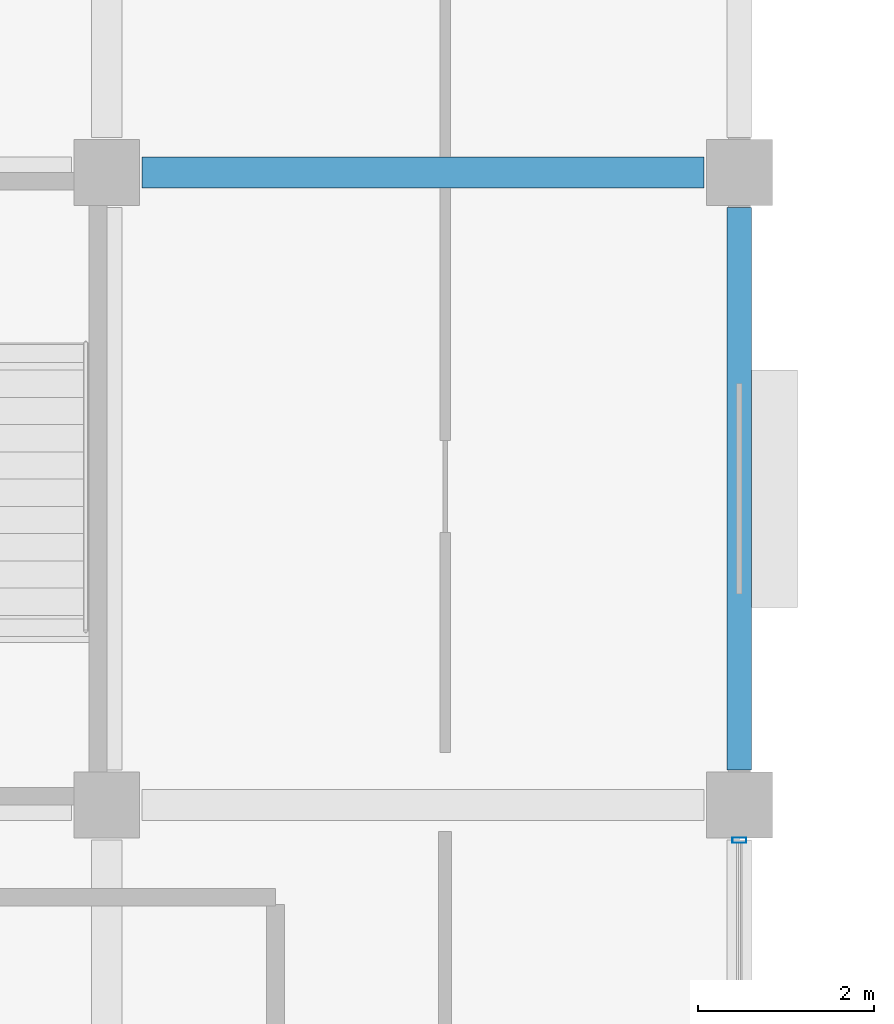
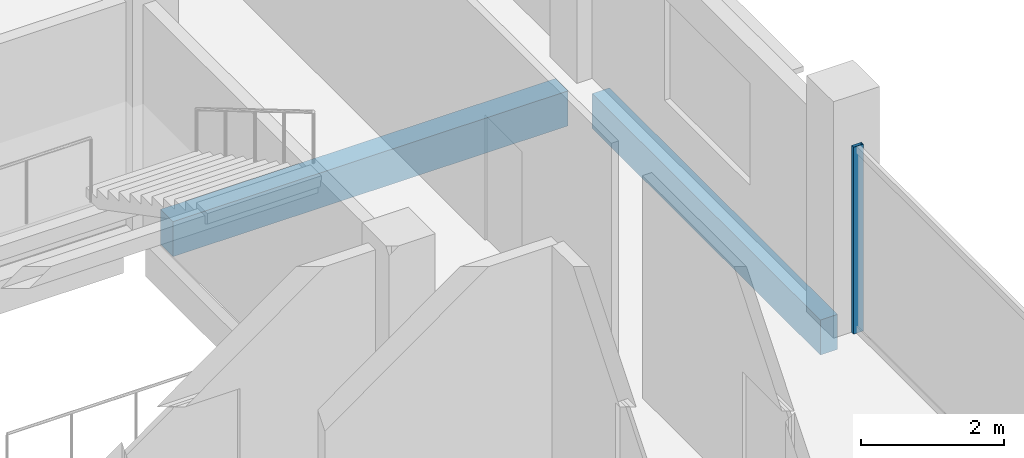
# One storey, part 13 of 91: 2 beams, 1 member, 1 element without a shape of its own.
"""IFC4 building model written with IfcOpenShell, lengths in metres."""

from ifc_helpers import new_model, si_unit, direction, frame, origin, origin_2d, place, context, subcontext, project, spatial, rectangle, hollow_rectangle, extrude, material, layer, layer_set, material_profile, profile_set, type_object, element, aggregate, save


model = new_model("IFC4")

# Units and contexts
model_context = context("Model", 3, precision=1e-05, world=origin(), true_north=direction((0.0, 1.0)))
body_context = subcontext(model_context, "Body", "Model", "MODEL_VIEW")
ifc_project = project(units=[si_unit("LENGTHUNIT", "METRE"), si_unit("AREAUNIT", "SQUARE_METRE"), si_unit("VOLUMEUNIT", "CUBIC_METRE"), si_unit("PLANEANGLEUNIT", "RADIAN"), si_unit("MASSUNIT", "GRAM", prefix="KILO")], contexts=[model_context])

# Site, building, storey
site_placement = place(None, origin())
site = spatial("IfcSite", under=ifc_project, at=site_placement, CompositionType="ELEMENT")
building_placement = place(site_placement, origin())
building = spatial("IfcBuilding", under=site, at=building_placement, Name="Kangsadwip Square Police Headquarters", CompositionType="ELEMENT")
storey_placement = place(building_placement, frame((0.0, 0.0, 13.5)))
storey = spatial("IfcBuildingStorey", under=building, at=storey_placement, Name="L03", CompositionType="ELEMENT", Elevation=13.5)

# Curtain wall, member
ifc_material_1 = material(Name="Thermally broken anodised aluminium AW-6063-T6", Category="aluminium")
ifc_layer = layer(ifc_material_1, 0.159912109375)
ifc_layer_set = layer_set([ifc_layer], Name="Thermally broken anodised aluminium AW-6063-T6")
curtain_wall_type = type_object("IfcCurtainWallType", Name="CourtScreen6460x3200", PredefinedType="USERDEFINED", material=ifc_layer_set)
curtain_wall_placement = place(storey_placement, origin())
curtain_wall = element("IfcCurtainWall", 1, at=curtain_wall_placement, inside=storey, type_object=curtain_wall_type, Name="Curtain Wall CW-L03-0216-0652", ObjectType="GLAZED_SCREEN", PredefinedType="USERDEFINED")
ifc_material_2 = material(Name="Thermally broken anodised aluminium AW-6063-T6", Category="aluminium")
ifc_material_profile_1 = material_profile(ifc_material_2, hollow_rectangle(XDim=0.06005859375, YDim=0.159912109375, WallThickness=0.00390625, at=origin_2d()), Name="CWM 160X60X4")
ifc_profile_set_1 = profile_set([ifc_material_profile_1], Name="Thermally broken anodised aluminium AW-6063-T6")
member_type = type_object("IfcMemberType", Name="CwMullion135x60", PredefinedType="MULLION", material=ifc_profile_set_1)
member_placement = place(storey_placement, frame((21.60009765625, 71.60009765625, 0.0), z_axis=(0.0, 0.0, 1.0), x_axis=(0.0, 1.0, 0.0)))
member = element("IfcMember", 2, at=member_placement, type_object=member_type, Name="CW-16 mullion 2", PredefinedType="MULLION", context=body_context, shape_type="SweptSolid", body=[
    extrude(hollow_rectangle(XDim=0.06005859375, YDim=0.159912109375, WallThickness=0.00390625, at=origin_2d()), origin(), (0.0, 0.0, 1.0), 3.199951171875),
])
aggregate(curtain_wall, [member])

# Beams
ifc_material_3 = material(Name="Concrete M35 (35 MPa)", Category="concrete")
ifc_material_profile_2 = material_profile(ifc_material_3, rectangle(XDim=0.35009765625, YDim=0.60009765625, at=origin_2d()), Name="RC BM 600X350")
ifc_profile_set_2 = profile_set([ifc_material_profile_2], Name="Concrete M35 (35 MPa)")
beam_type_1 = type_object("IfcBeamType", Name="RcBeam600x350", PredefinedType="BEAM", material=ifc_profile_set_2)
beam_1_placement = place(storey_placement, frame((14.800048828125, 79.199951171875, -0.5400390625), z_axis=(1.0, 0.0, 0.0), x_axis=(0.0, 1.0, 0.0)))
element("IfcBeam", 3, at=beam_1_placement, inside=storey, type_object=beam_type_1, Name="Beam BM-L03-X-02-11", PredefinedType="BEAM", context=body_context, shape_type="SweptSolid", body=[
    extrude(rectangle(XDim=0.35009765625, YDim=0.60009765625, at=origin_2d()), origin(), (0.0, 0.0, 1.0), 6.39990234375),
])
ifc_material_4 = material(Name="Concrete M40 (40 MPa)", Category="concrete")
ifc_material_profile_3 = material_profile(ifc_material_4, rectangle(XDim=0.280029296875, YDim=0.60009765625, at=origin_2d()), Name="RC SPN 600X280")
ifc_profile_set_3 = profile_set([ifc_material_profile_3], Name="Concrete M40 (40 MPa)")
beam_type_2 = type_object("IfcBeamType", Name="RcSpandrel600x280", PredefinedType="SPANDREL", material=ifc_profile_set_3)
beam_2_placement = place(storey_placement, frame((21.60009765625, 72.39990234375, -0.5400390625), z_axis=(0.0, 1.0, 0.0), x_axis=(-1.0, 0.0, 0.0)))
element("IfcBeam", 4, at=beam_2_placement, inside=storey, type_object=beam_type_2, Name="Beam BM-L03-Y-03-10", PredefinedType="SPANDREL", context=body_context, shape_type="SweptSolid", body=[
    extrude(rectangle(XDim=0.280029296875, YDim=0.60009765625, at=origin_2d()), origin(), (0.0, 0.0, 1.0), 6.400146484375),
])

save(model, "model.ifc")
